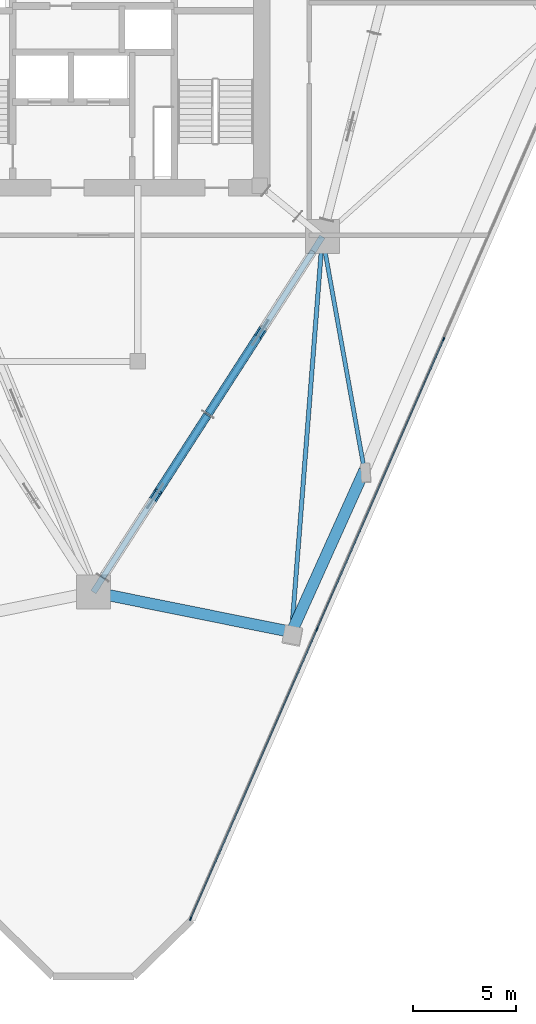
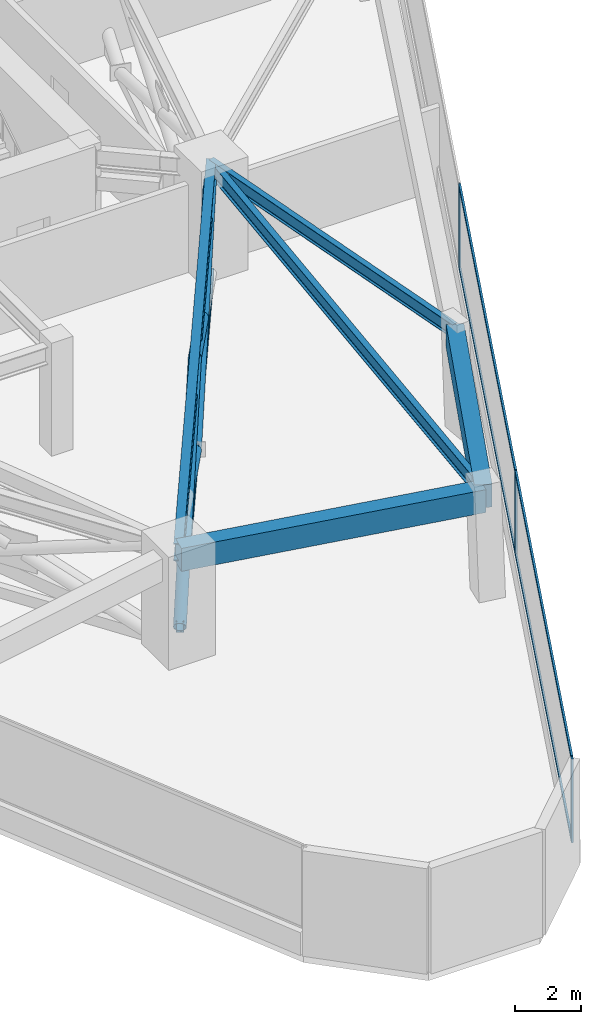
# One storey, part 3 of 14: 15 members, 5 beams, 1 element without a shape of its own.
"""IFC4 building model written with IfcOpenShell, lengths in metres."""

from ifc_helpers import new_model, si_unit, direction, frame, origin, origin_2d, place, context, subcontext, project, spatial, rectangle, hollow_rectangle, hollow_circle, i_section, extrude, material, layer, layer_set, material_profile, profile_set, type_object, element, aggregate, save


model = new_model("IFC4")

# Units and contexts
model_context = context("Model", 3, precision=1e-05, world=origin(), true_north=direction((0.0, 1.0)))
body_context = subcontext(model_context, "Body", "Model", "MODEL_VIEW")
ifc_project = project(units=[si_unit("LENGTHUNIT", "METRE"), si_unit("AREAUNIT", "SQUARE_METRE"), si_unit("VOLUMEUNIT", "CUBIC_METRE"), si_unit("PLANEANGLEUNIT", "RADIAN"), si_unit("MASSUNIT", "GRAM", prefix="KILO")], contexts=[model_context])

# Site, building, storey
site_placement = place(None, origin())
site = spatial("IfcSite", under=ifc_project, at=site_placement, CompositionType="ELEMENT")
building_placement = place(site_placement, origin())
building = spatial("IfcBuilding", under=site, at=building_placement, Name="Talyreon Biosciences Tower", CompositionType="ELEMENT")
storey_placement = place(building_placement, frame((0.0, 0.0, 123.0)))
storey = spatial("IfcBuildingStorey", under=building, at=storey_placement, Name="L32", CompositionType="ELEMENT", Elevation=123.0)

# Members
ifc_material_1 = material(Name="Steel SM355", Category="steel")
ifc_material_profile_1 = material_profile(ifc_material_1, hollow_circle(Radius=0.203125, WallThickness=0.01611328125, at=origin_2d()), Name="CHS 406.4x16")
ifc_profile_set_1 = profile_set([ifc_material_profile_1], Name="Steel SM355")
member_type_1 = type_object("IfcMemberType", Name="BeltBrace_CHS406", PredefinedType="BRACE", material=ifc_profile_set_1)
member_1_placement = place(storey_placement, frame((66.4521484375, 42.368896484375, 0.239990234375), z_axis=(0.50858745967, 0.789672697895, 0.343155687794), x_axis=(-0.84072260257, 0.541466070523, 0.0)))
element("IfcMember", 1, at=member_1_placement, inside=storey, type_object=member_type_1, Name="L32 Continuous Diagonal BELT-L32-B1S1A", PredefinedType="BRACE", context=body_context, shape_type="SweptSolid", body=[
    extrude(hollow_circle(Radius=0.203125, WallThickness=0.01611328125, at=origin_2d()), origin(), (0.0, 0.0, 1.0), 10.01025390625),
])
member_2_placement = place(storey_placement, frame((71.543212890625, 50.273681640625, 0.239990234375), z_axis=(-0.508628714033, -0.789655895629, 0.343133207019), x_axis=(0.840697363245, -0.541505257069, 0.0)))
element("IfcMember", 2, at=member_2_placement, inside=storey, type_object=member_type_1, Name="L32 Split Diagonal BELT-L32-B1S1B-Lower", PredefinedType="BRACE", context=body_context, shape_type="SweptSolid", body=[
    extrude(hollow_circle(Radius=0.203125, WallThickness=0.01611328125, at=origin_2d()), origin(), (0.0, 0.0, 1.0), 4.72509765625),
])
member_3_placement = place(storey_placement, frame((71.543212890625, 50.273681640625, 0.239990234375), z_axis=(0.508569378693, 0.789682492965, 0.343159944284), x_axis=(-0.840734422786, 0.54144771709, 0.0)))
element("IfcMember", 3, at=member_3_placement, inside=storey, type_object=member_type_1, Name="L32 Continuous Diagonal BELT-L32-B1S2A", PredefinedType="BRACE", context=body_context, shape_type="SweptSolid", body=[
    extrude(hollow_circle(Radius=0.203125, WallThickness=0.01611328125, at=origin_2d()), origin(), (0.0, 0.0, 1.0), 10.010009765625),
])
member_4_placement = place(storey_placement, frame((73.9462890625, 54.0048828125, 2.0537109375), z_axis=(-0.508590410527, -0.789676647778, 0.343142224556), x_axis=(0.840722405347, -0.541466376747, 0.0)))
element("IfcMember", 4, at=member_4_placement, inside=storey, type_object=member_type_1, Name="L32 Split Diagonal BELT-L32-B1S2B-Upper", PredefinedType="BRACE", context=body_context, shape_type="SweptSolid", body=[
    extrude(hollow_circle(Radius=0.203125, WallThickness=0.01611328125, at=origin_2d()), origin(), (0.0, 0.0, 1.0), 4.724853515625),
])
ifc_material_profile_2 = material_profile(ifc_material_1, hollow_rectangle(XDim=0.25, YDim=0.39990234375, WallThickness=0.01611328125, at=origin_2d()), Name="RHS 400x250x16")
ifc_profile_set_2 = profile_set([ifc_material_profile_2], Name="Steel SM355")
member_type_2 = type_object("IfcMemberType", Name="BeltChord_RHS400x250", PredefinedType="CHORD", material=ifc_profile_set_2)
for number, where, z_axis, x_axis, name in (
    (5, (66.4521484375, 42.368896484375, 0.239990234375), (0.541466070523, 0.84072260257, 0.0), (-0.84072260257, 0.541466070523, 0.0), "L32 Truss Bottom Chord BELT-L32-B1S1"),
    (6, (66.4521484375, 42.368896484375, 3.675048828125), (0.541466070523, 0.84072260257, 0.0), (-0.84072260257, 0.541466070523, 0.0), "L32 Truss Top Chord BELT-L32-B1S1"),
    (7, (71.543212890625, 50.273681640625, 0.239990234375), (0.54144771709, 0.840734422786, 0.0), (-0.840734422786, 0.54144771709, 0.0), "L32 Truss Bottom Chord BELT-L32-B1S2"),
    (8, (71.543212890625, 50.273681640625, 3.675048828125), (0.54144771709, 0.840734422786, 0.0), (-0.840734422786, 0.54144771709, 0.0), "L32 Truss Top Chord BELT-L32-B1S2"),
):
    element("IfcMember", number, at=place(storey_placement, frame(where, z_axis=z_axis, x_axis=x_axis)), inside=storey, type_object=member_type_2, Name=name, PredefinedType="CHORD", context=body_context, shape_type="SweptSolid", body=[
        extrude(hollow_rectangle(XDim=0.25, YDim=0.39990234375, WallThickness=0.01611328125, at=origin_2d()), origin(), (0.0, 0.0, 1.0), 9.40234375),
    ])

# Curtain wall, members
ifc_material_2 = material(Name="Thermally broken aluminium and low-E glazing", Category="aluminium")
ifc_layer = layer(ifc_material_2, 0.18994140625)
ifc_layer_set = layer_set([ifc_layer], Name="Thermally broken aluminium and low-E glazing")
curtain_wall_type = type_object("IfcCurtainWallType", Name="CurtainWall_Zone2Genomics", PredefinedType="NOTDEFINED", material=ifc_layer_set)
curtain_wall_placement = place(storey_placement, origin())
curtain_wall = element("IfcCurtainWall", 9, at=curtain_wall_placement, inside=storey, type_object=curtain_wall_type, Name="L32 Unitised Curtain Wall FCW-L32-08", PredefinedType="NOTDEFINED")
ifc_material_3 = material(Name="Anodised thermally broken aluminium", Category="aluminium")
ifc_material_profile_3 = material_profile(ifc_material_3, rectangle(XDim=0.06494140625, YDim=0.179931640625, at=origin_2d()), Name="ALUM MULLION 65x180")
ifc_profile_set_3 = profile_set([ifc_material_profile_3], Name="Anodised thermally broken aluminium")
member_type_3 = type_object("IfcMemberType", Name="CWMullion_65x180", PredefinedType="MULLION", material=ifc_profile_set_3)
member_5_placement = place(storey_placement, frame((82.953857421875, 53.914794921875, 0.81005859375), z_axis=(0.0, 0.0, 1.0), x_axis=(0.916489607057, -0.400058495919, 0.0)))
member_5 = element("IfcMember", 10, at=member_5_placement, type_object=member_type_3, Name="CW3 mullion 3", PredefinedType="MULLION", context=body_context, shape_type="SweptSolid", body=[
    extrude(rectangle(XDim=0.06494140625, YDim=0.179931640625, at=origin_2d()), origin(), (0.0, 0.0, 1.0), 3.114990234375),
])
member_6_placement = place(storey_placement, frame((76.8232421875, 39.869873046875, 0.81005859375), z_axis=(0.0, 0.0, 1.0), x_axis=(0.916489607057, -0.400058495919, 0.0)))
member_6 = element("IfcMember", 11, at=member_6_placement, type_object=member_type_3, Name="CW3 mullion 4", PredefinedType="MULLION", context=body_context, shape_type="SweptSolid", body=[
    extrude(rectangle(XDim=0.06494140625, YDim=0.179931640625, at=origin_2d()), origin(), (0.0, 0.0, 1.0), 3.114990234375),
])
member_7_placement = place(storey_placement, frame((70.705322265625, 25.854736328125, 0.81005859375), z_axis=(0.0, 0.0, 1.0), x_axis=(0.916489607057, -0.400058495919, 0.0)))
member_7 = element("IfcMember", 12, at=member_7_placement, type_object=member_type_3, Name="CW3 mullion 5", PredefinedType="MULLION", context=body_context, shape_type="SweptSolid", body=[
    extrude(rectangle(XDim=0.06494140625, YDim=0.179931640625, at=origin_2d()), origin(), (0.0, 0.0, 1.0), 3.114990234375),
])
ifc_material_profile_4 = material_profile(ifc_material_3, rectangle(XDim=0.06494140625, YDim=0.139892578125, at=origin_2d()), Name="ALUM TRANSOM 65x140")
ifc_profile_set_4 = profile_set([ifc_material_profile_4], Name="Anodised thermally broken aluminium")
member_type_4 = type_object("IfcMemberType", Name="CWTransom_65x140", PredefinedType="USERDEFINED", material=ifc_profile_set_4)
member_8_placement = place(storey_placement, frame((82.94091796875, 53.885009765625, 0.842529296875), z_axis=(-0.400056615307, -0.916490427964, 0.0), x_axis=(0.916490427964, -0.400056615307, 0.0)))
member_8 = element("IfcMember", 13, at=member_8_placement, type_object=member_type_4, Name="CW3 transom 3.1", ObjectType="TRANSOM", PredefinedType="USERDEFINED", context=body_context, shape_type="SweptSolid", body=[
    extrude(rectangle(XDim=0.06494140625, YDim=0.139892578125, at=origin_2d()), origin(), (0.0, 0.0, 1.0), 15.259765625),
])
member_9_placement = place(storey_placement, frame((82.94091796875, 53.885009765625, 3.892578125), z_axis=(-0.400056615307, -0.916490427964, 0.0), x_axis=(0.916490427964, -0.400056615307, 0.0)))
member_9 = element("IfcMember", 14, at=member_9_placement, type_object=member_type_4, Name="CW3 transom 3.2", ObjectType="TRANSOM", PredefinedType="USERDEFINED", context=body_context, shape_type="SweptSolid", body=[
    extrude(rectangle(XDim=0.06494140625, YDim=0.139892578125, at=origin_2d()), origin(), (0.0, 0.0, 1.0), 15.259765625),
])
member_10_placement = place(storey_placement, frame((76.81005859375, 39.840087890625, 0.842529296875), z_axis=(-0.400046570574, -0.916494812518, 0.0), x_axis=(0.916494812518, -0.400046570574, 0.0)))
member_10 = element("IfcMember", 15, at=member_10_placement, type_object=member_type_4, Name="CW3 transom 4.1", ObjectType="TRANSOM", PredefinedType="USERDEFINED", context=body_context, shape_type="SweptSolid", body=[
    extrude(rectangle(XDim=0.06494140625, YDim=0.139892578125, at=origin_2d()), origin(), (0.0, 0.0, 1.0), 15.22705078125),
])
member_11_placement = place(storey_placement, frame((76.81005859375, 39.840087890625, 3.892578125), z_axis=(-0.400046570574, -0.916494812518, 0.0), x_axis=(0.916494812518, -0.400046570574, 0.0)))
member_11 = element("IfcMember", 16, at=member_11_placement, type_object=member_type_4, Name="CW3 transom 4.2", ObjectType="TRANSOM", PredefinedType="USERDEFINED", context=body_context, shape_type="SweptSolid", body=[
    extrude(rectangle(XDim=0.06494140625, YDim=0.139892578125, at=origin_2d()), origin(), (0.0, 0.0, 1.0), 15.22705078125),
])
aggregate(curtain_wall, [member_5, member_6, member_7, member_8, member_9, member_10, member_11])

# Beams
ifc_material_4 = material(Name="Precast concrete C45/55", Category="concrete")
ifc_material_profile_5 = material_profile(ifc_material_4, rectangle(XDim=0.550048828125, YDim=0.85009765625, at=origin_2d()), Name="RCB 550x850")
ifc_profile_set_5 = profile_set([ifc_material_profile_5], Name="Precast concrete C45/55")
beam_type_1 = type_object("IfcBeamType", Name="ExpressedSpandrel_550x850", PredefinedType="SPANDREL", material=ifc_profile_set_5)
beam_1_placement = place(storey_placement, frame((66.0, 41.6669921875, 3.5), z_axis=(0.980355587428, -0.197238237159, 0.0), x_axis=(0.197238237159, 0.980355587428, 0.0)))
element("IfcBeam", 17, at=beam_1_placement, inside=storey, type_object=beam_type_1, Name="L32 Expressed Horizontal Concrete Spandrel 01", PredefinedType="SPANDREL", context=body_context, shape_type="SweptSolid", body=[
    extrude(rectangle(XDim=0.550048828125, YDim=0.85009765625, at=origin_2d()), origin(), (0.0, 0.0, 1.0), 9.789794921875),
])
beam_2_placement = place(storey_placement, frame((75.597412109375, 39.736083984375, 3.5), z_axis=(0.410710026985, 0.911766019181, 0.0), x_axis=(-0.911766019181, 0.410710026985, 0.0)))
element("IfcBeam", 18, at=beam_2_placement, inside=storey, type_object=beam_type_1, Name="L32 Expressed Horizontal Concrete Spandrel 02", PredefinedType="SPANDREL", context=body_context, shape_type="SweptSolid", body=[
    extrude(rectangle(XDim=0.550048828125, YDim=0.85009765625, at=origin_2d()), origin(), (0.0, 0.0, 1.0), 8.58251953125),
])
ifc_material_profile_6 = material_profile(ifc_material_1, i_section(OverallWidth=0.300048828125, OverallDepth=0.64990234375, WebThickness=0.01611328125, FlangeThickness=0.031005859375, FilletRadius=0.027099609375, at=origin_2d()), Name="HE650B")
ifc_profile_set_6 = profile_set([ifc_material_profile_6], Name="Steel SM355")
beam_type_2 = type_object("IfcBeamType", Name="SteelBeam_HE650B", PredefinedType="BEAM", material=ifc_profile_set_6)
beam_3_placement = place(storey_placement, frame((66.0, 41.6669921875, 3.60009765625), z_axis=(0.541463723609, 0.840724114092, 0.0), x_axis=(-0.840724114092, 0.541463723609, 0.0)))
element("IfcBeam", 19, at=beam_3_placement, inside=storey, type_object=beam_type_2, Name="L32 Mega-Ring Girder 1", PredefinedType="BEAM", context=body_context, shape_type="SweptSolid", body=[
    extrude(i_section(OverallWidth=0.300048828125, OverallDepth=0.64990234375, WebThickness=0.01611328125, FlangeThickness=0.031005859375, FilletRadius=0.027099609375, at=origin_2d()), origin(), (0.0, 0.0, 1.0), 20.474365234375),
])
ifc_material_profile_7 = material_profile(ifc_material_1, i_section(OverallWidth=0.199951171875, OverallDepth=0.5, WebThickness=0.01025390625, FlangeThickness=0.01611328125, FilletRadius=0.02099609375, at=origin_2d()), Name="IPE500")
ifc_profile_set_7 = profile_set([ifc_material_profile_7], Name="Steel SM355")
beam_type_3 = type_object("IfcBeamType", Name="SteelJoist_IPE500", PredefinedType="JOIST", material=ifc_profile_set_7)
beam_4_placement = place(storey_placement, frame((77.086181640625, 58.88037109375, 3.675048828125), z_axis=(0.177043196173, -0.984203082036, 0.0), x_axis=(0.984203082036, 0.177043196173, 0.0)))
element("IfcBeam", 20, at=beam_4_placement, inside=storey, type_object=beam_type_3, Name="L32 Radial Composite Floor Joist PL-SE", PredefinedType="JOIST", context=body_context, shape_type="SweptSolid", body=[
    extrude(i_section(OverallWidth=0.199951171875, OverallDepth=0.5, WebThickness=0.01025390625, FlangeThickness=0.01611328125, FilletRadius=0.02099609375, at=origin_2d()), origin(), (0.0, 0.0, 1.0), 11.500732421875),
])
ifc_material_profile_8 = material_profile(ifc_material_1, i_section(OverallWidth=0.2099609375, OverallDepth=0.550048828125, WebThickness=0.010986328125, FlangeThickness=0.01708984375, FilletRadius=0.02392578125, at=origin_2d()), Name="IPE550")
ifc_profile_set_8 = profile_set([ifc_material_profile_8], Name="Steel SM355")
beam_type_4 = type_object("IfcBeamType", Name="SteelJoist_IPE550", PredefinedType="JOIST", material=ifc_profile_set_8)
beam_5_placement = place(storey_placement, frame((77.086181640625, 58.88037109375, 3.64990234375), z_axis=(-0.07753165028, -0.996989891225, 0.0), x_axis=(0.996989891225, -0.07753165028, 0.0)))
element("IfcBeam", 21, at=beam_5_placement, inside=storey, type_object=beam_type_4, Name="L32 Radial Composite Floor Joist PC-SE1", PredefinedType="JOIST", context=body_context, shape_type="SweptSolid", body=[
    extrude(i_section(OverallWidth=0.2099609375, OverallDepth=0.550048828125, WebThickness=0.010986328125, FlangeThickness=0.01708984375, FilletRadius=0.02392578125, at=origin_2d()), origin(), (0.0, 0.0, 1.0), 19.2021484375),
])

save(model, "model.ifc")
